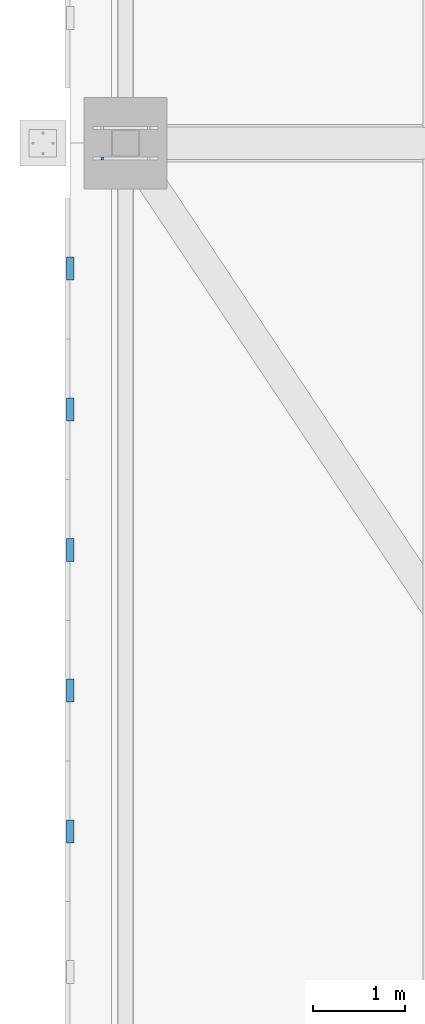
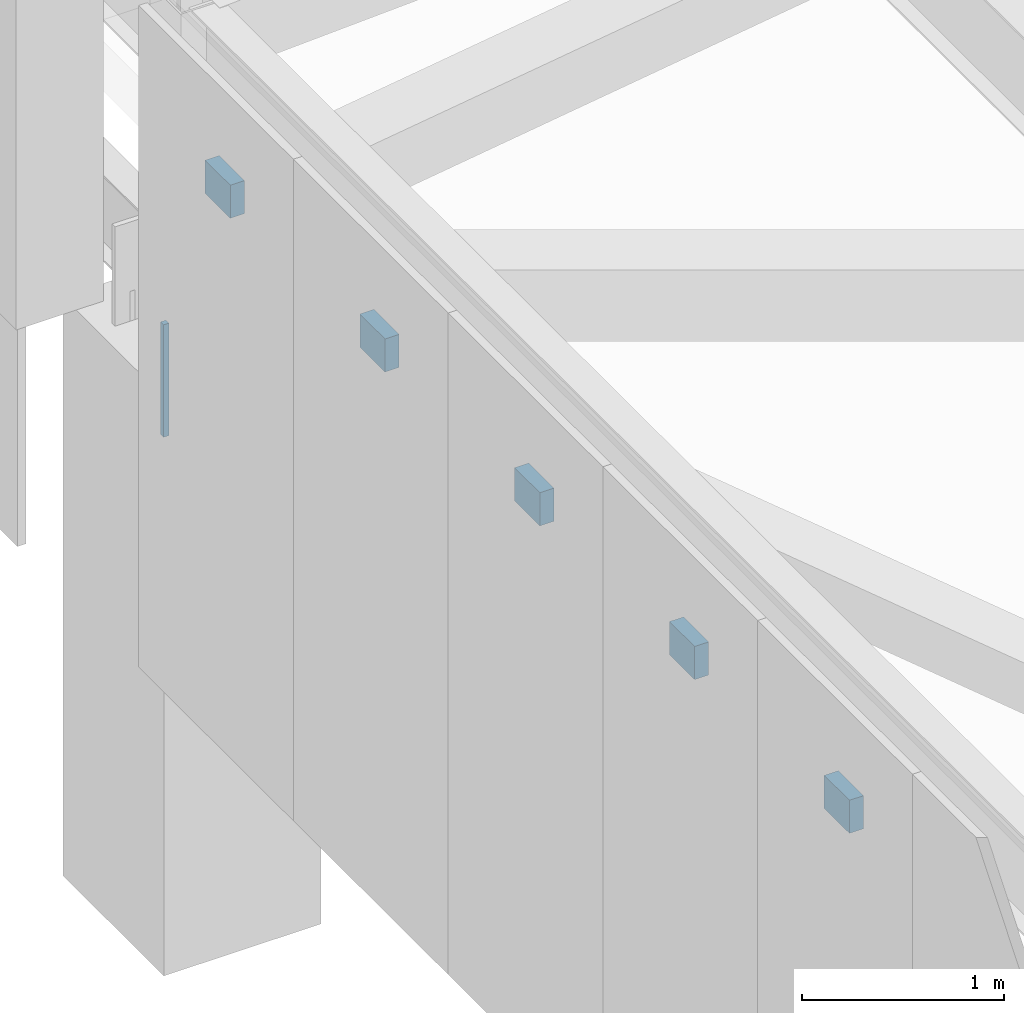
# One storey, part 152 of 278: 5 discrete accessories, 1 mechanical fastener.
"""IFC4 building model written with IfcOpenShell, lengths in metres."""

from ifc_helpers import new_model, si_unit, direction, frame, origin, origin_2d, place, context, subcontext, project, spatial, rectangle, extrude, material, layer, layer_set, type_object, element, save


model = new_model("IFC4")

# Units and contexts
model_context = context("Model", 3, precision=1e-05, world=origin(), true_north=direction((0.0, 1.0)))
body_context = subcontext(model_context, "Body", "Model", "MODEL_VIEW")
ifc_project = project(units=[si_unit("LENGTHUNIT", "METRE"), si_unit("AREAUNIT", "SQUARE_METRE"), si_unit("VOLUMEUNIT", "CUBIC_METRE"), si_unit("PLANEANGLEUNIT", "RADIAN"), si_unit("MASSUNIT", "GRAM", prefix="KILO")], contexts=[model_context])

# Site, building, storey
site_placement = place(None, origin())
site = spatial("IfcSite", under=ifc_project, at=site_placement, CompositionType="ELEMENT")
building_placement = place(site_placement, origin())
building = spatial("IfcBuilding", under=site, at=building_placement, Name="Ogive Plaza Stadium", CompositionType="ELEMENT")
storey_placement = place(building_placement, frame((0.0, 0.0, 29.0)))
storey = spatial("IfcBuildingStorey", under=building, at=storey_placement, Name="Roof", CompositionType="ELEMENT", Elevation=29.0)

# Mechanical fastener
ifc_material_1 = material(Name="Steel ASTM A992 Grade 50", Category="steel")
mechanical_fastener_type = type_object("IfcMechanicalFastenerType", Name="Anchor bolt M30 x 600", PredefinedType="ANCHORBOLT", material=ifc_material_1)
mechanical_fastener_placement = place(storey_placement, frame((-84.25244140625, -22.66650390625, 3.0), z_axis=(0.0, 0.0, 1.0), x_axis=(-1.0, 0.0, 0.0)))
element("IfcMechanicalFastener", 1, at=mechanical_fastener_placement, inside=storey, type_object=mechanical_fastener_type, Name="ANCHOR BOLT 23 BF 1.1", PredefinedType="ANCHORBOLT", context=body_context, shape_type="SweptSolid", body=[
    extrude(rectangle(XDim=0.030029296875, YDim=0.030029296875, at=origin_2d()), origin(), (0.0, 0.0, 1.0), 0.679931640625),
])

# Discrete accessories
ifc_material_2 = material(Name="Steel ASTM A572 Grade 50", Category="steel")
ifc_layer = layer(ifc_material_2, 0.080078125)
ifc_layer_set = layer_set([ifc_layer], Name="Steel ASTM A572 Grade 50")
discrete_accessory_type = type_object("IfcDiscreteAccessoryType", Name="Tracery screen bracket 250x200", PredefinedType="BRACKET", material=ifc_layer_set)
for number, where, z_axis, x_axis, name in (
    (2, (-84.602294921875, -30.0, 5.25), (0.0, 0.0, 1.0), (0.0, 1.0, 0.0), "TRACERY SCREEN BRACKET B22 5"),
    (3, (-84.602294921875, -28.466796875, 5.25), (0.0, 0.0, 1.0), (0.0, 1.0, 0.0), "TRACERY SCREEN BRACKET B22 6"),
    (4, (-84.602294921875, -26.933349609375, 5.25), (0.0, 0.0, 1.0), (0.0, 1.0, 0.0), "TRACERY SCREEN BRACKET B22 7"),
    (5, (-84.602294921875, -25.39990234375, 5.25), (0.0, 0.0, 1.0), (0.0, 1.0, 0.0), "TRACERY SCREEN BRACKET B22 8"),
    (6, (-84.602294921875, -23.86669921875, 5.25), (0.0, 0.0, 1.0), (0.0, 1.0, 0.0), "TRACERY SCREEN BRACKET B22 9"),
):
    element("IfcDiscreteAccessory", number, at=place(storey_placement, frame(where, z_axis=z_axis, x_axis=x_axis)), inside=storey, type_object=discrete_accessory_type, Name=name, PredefinedType="BRACKET", context=body_context, shape_type="SweptSolid", body=[
        extrude(rectangle(XDim=0.25, YDim=0.080078125, at=origin_2d()), origin(), (0.0, 0.0, 1.0), 0.199951171875),
    ])

save(model, "model.ifc")
